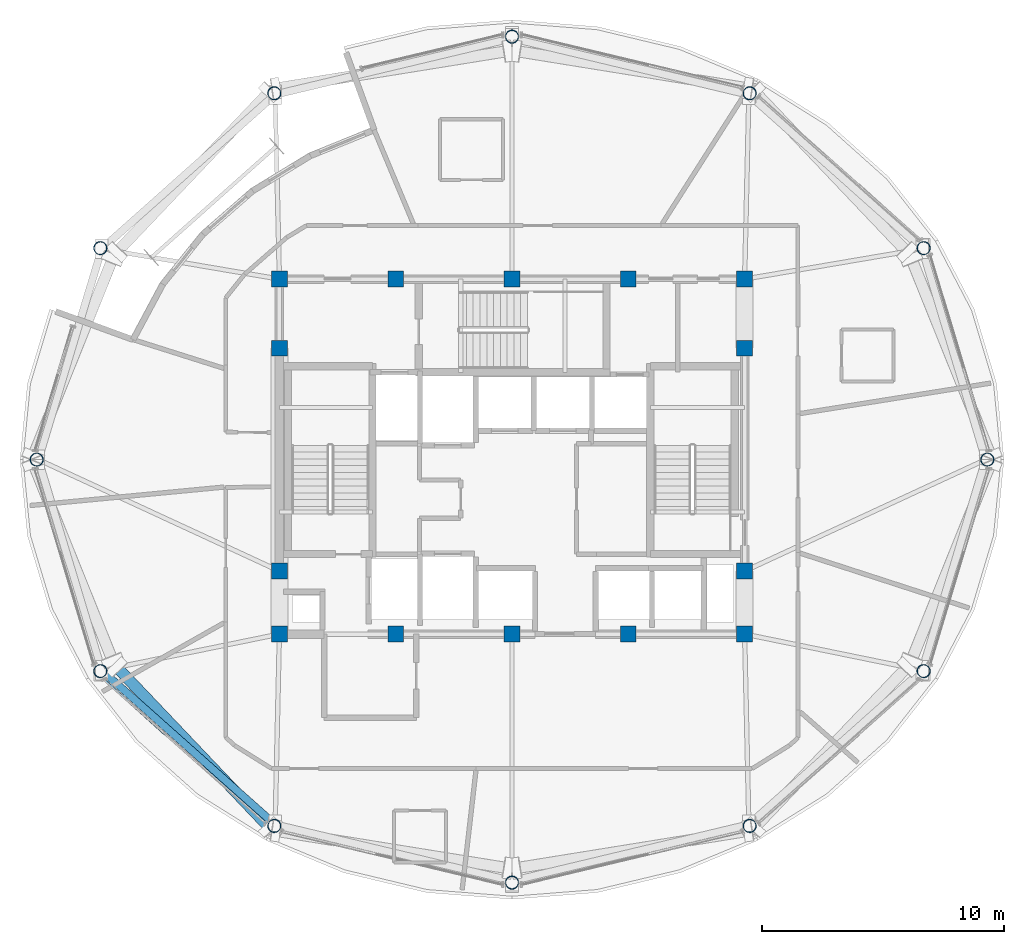
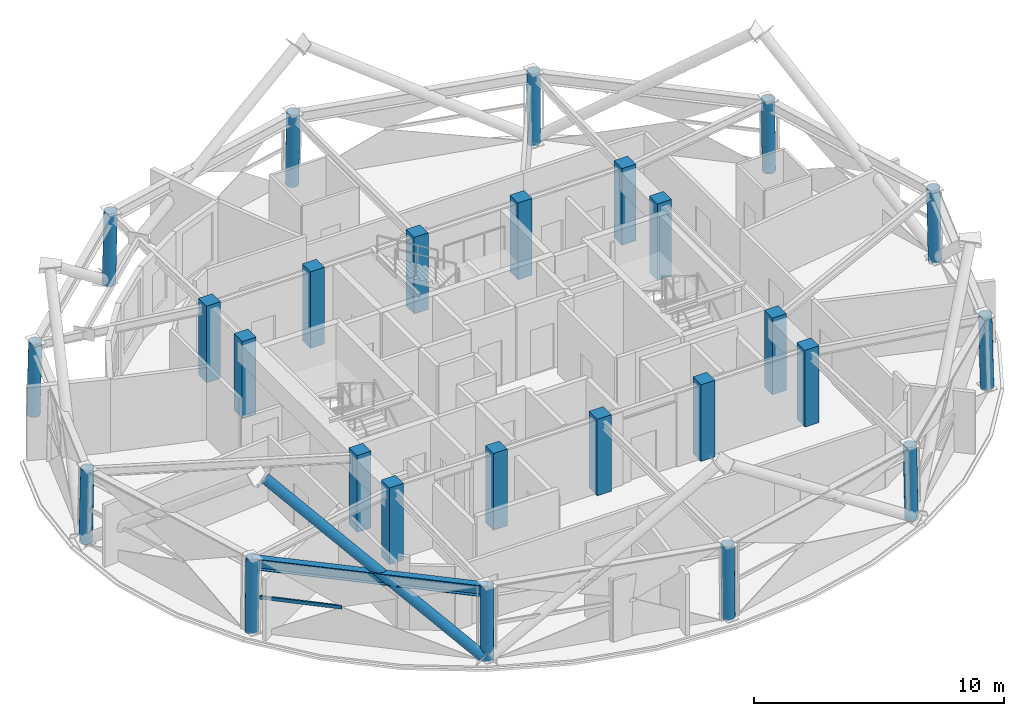
# One storey, part 1 of 15: 26 columns, 2 members, 1 beam, 1 element without a shape of its own.
"""IFC4 building model written with IfcOpenShell, lengths in metres."""

from ifc_helpers import new_model, si_unit, direction, frame, origin, origin_2d, place, context, subcontext, project, spatial, rectangle, hollow_rectangle, hollow_circle, i_section, extrude, material, layer, layer_set, material_profile, profile_set, type_object, element, aggregate, save


model = new_model("IFC4")

# Units and contexts
model_context = context("Model", 3, precision=1e-05, world=origin(), true_north=direction((0.0, 1.0)))
body_context = subcontext(model_context, "Body", "Model", "MODEL_VIEW")
ifc_project = project(units=[si_unit("LENGTHUNIT", "METRE"), si_unit("AREAUNIT", "SQUARE_METRE"), si_unit("VOLUMEUNIT", "CUBIC_METRE"), si_unit("PLANEANGLEUNIT", "RADIAN"), si_unit("MASSUNIT", "GRAM", prefix="KILO")], contexts=[model_context])

# Site, building, storey
site_placement = place(None, origin())
site = spatial("IfcSite", under=ifc_project, at=site_placement, CompositionType="ELEMENT")
building_placement = place(site_placement, origin())
building = spatial("IfcBuilding", under=site, at=building_placement, Name="Vantalir Tower", CompositionType="ELEMENT")
storey_placement = place(building_placement, frame((0.0, 0.0, 275.10009765625)))
storey = spatial("IfcBuildingStorey", under=building, at=storey_placement, Name="L69", CompositionType="ELEMENT", Elevation=275.10009765625)

# Columns
ifc_material_1 = material(Name="Concrete C50/60", Category="concrete")
ifc_material_profile_1 = material_profile(ifc_material_1, rectangle(XDim=0.64990234375, YDim=0.64990234375, at=origin_2d()), Name="Concrete C50/60")
ifc_profile_set_1 = profile_set([ifc_material_profile_1], Name="Concrete C50/60")
column_type_1 = type_object("IfcColumnType", Name="COL-CC-650", PredefinedType="COLUMN", material=ifc_profile_set_1)
for number, where, z_axis, x_axis, name in (
    (1, (21.89990234375, 17.800048828125, 0.0), (0.0, 0.0, 1.0), (1.0, 0.0, 0.0), "L69 Core Column CC01"),
    (2, (26.699951171875, 17.800048828125, 0.0), (0.0, 0.0, 1.0), (1.0, 0.0, 0.0), "L69 Core Column CC02"),
    (3, (31.5, 17.800048828125, 0.0), (0.0, 0.0, 1.0), (1.0, 0.0, 0.0), "L69 Core Column CC03"),
    (4, (36.300048828125, 17.800048828125, 0.0), (0.0, 0.0, 1.0), (1.0, 0.0, 0.0), "L69 Core Column CC04"),
    (5, (41.10009765625, 17.800048828125, 0.0), (0.0, 0.0, 1.0), (1.0, 0.0, 0.0), "L69 Core Column CC05"),
    (6, (21.89990234375, 20.39990234375, 0.0), (0.0, 0.0, 1.0), (1.0, 0.0, 0.0), "L69 Core Column CC06"),
    (7, (21.89990234375, 29.60009765625, 0.0), (0.0, 0.0, 1.0), (1.0, 0.0, 0.0), "L69 Core Column CC07"),
    (8, (41.10009765625, 20.39990234375, 0.0), (0.0, 0.0, 1.0), (1.0, 0.0, 0.0), "L69 Core Column CC08"),
    (9, (41.10009765625, 29.60009765625, 0.0), (0.0, 0.0, 1.0), (1.0, 0.0, 0.0), "L69 Core Column CC09"),
    (10, (21.89990234375, 32.449951171875, 0.0), (0.0, 0.0, 1.0), (1.0, 0.0, 0.0), "L69 Core Column CC10"),
    (11, (26.699951171875, 32.449951171875, 0.0), (0.0, 0.0, 1.0), (1.0, 0.0, 0.0), "L69 Core Column CC11"),
    (12, (31.5, 32.449951171875, 0.0), (0.0, 0.0, 1.0), (1.0, 0.0, 0.0), "L69 Core Column CC12"),
    (13, (36.300048828125, 32.449951171875, 0.0), (0.0, 0.0, 1.0), (1.0, 0.0, 0.0), "L69 Core Column CC13"),
    (14, (41.10009765625, 32.449951171875, 0.0), (0.0, 0.0, 1.0), (1.0, 0.0, 0.0), "L69 Core Column CC14"),
):
    element("IfcColumn", number, at=place(storey_placement, frame(where, z_axis=z_axis, x_axis=x_axis)), inside=storey, type_object=column_type_1, Name=name, PredefinedType="COLUMN", context=body_context, shape_type="SweptSolid", body=[
        extrude(rectangle(XDim=0.64990234375, YDim=0.64990234375, at=origin_2d()), origin(), (0.0, 0.0, 1.0), 3.75),
    ])
ifc_material_2 = material(Name="Steel S460", Category="steel")
ifc_material_profile_2 = material_profile(ifc_material_2, hollow_circle(Radius=0.27490234375, WallThickness=0.02490234375, at=origin_2d()), Name="Steel S460")
ifc_profile_set_2 = profile_set([ifc_material_profile_2], Name="Steel S460")
column_type_2 = type_object("IfcColumnType", Name="COL-RC-550", PredefinedType="COLUMN", material=ifc_profile_set_2)
column_1_placement = place(storey_placement, frame((51.1298828125, 25.0, 0.0), z_axis=(-0.022357971521, 0.0, 0.999750029312), x_axis=(0.0, -1.0, 0.0)))
element("IfcColumn", 15, at=column_1_placement, inside=storey, type_object=column_type_2, Name="L69 Perimeter Ring Column RC01", PredefinedType="COLUMN", context=body_context, shape_type="SweptSolid", body=[
    extrude(hollow_circle(Radius=0.27490234375, WallThickness=0.02490234375, at=origin_2d()), origin(), (0.0, 0.0, 1.0), 3.57080078125),
])
for number, where, z_axis, x_axis, name in (
    (16, (48.5, 33.73388671875, 0.0), (-0.019349796045, -0.010050954129, 0.999762253595), (0.460957758055, -0.887422078432, 0.0), "L69 Perimeter Ring Column RC02"),
    (17, (41.31494140625, 40.1279296875, 0.0), (-0.011213525301, -0.017640789803, 0.999781505823), (0.843930762077, -0.536452112328, 0.0), "L69 Perimeter Ring Column RC03"),
    (18, (31.5, 42.468017578125, 0.0), (0.0, -0.020170973932, 0.999796545208), (1.0, 0.0, 0.0), "L69 Perimeter Ring Column RC04"),
    (19, (21.68505859375, 40.1279296875, 0.0), (0.011213525301, -0.017640789803, 0.999781505823), (0.843930762077, 0.536452112328, 0.0), "L69 Perimeter Ring Column RC05"),
    (20, (14.5, 33.73388671875, 0.0), (0.019349796045, -0.010050954129, 0.999762253595), (0.460957758055, 0.887422078432, 0.0), "L69 Perimeter Ring Column RC06"),
):
    element("IfcColumn", number, at=place(storey_placement, frame(where, z_axis=z_axis, x_axis=x_axis)), inside=storey, type_object=column_type_2, Name=name, PredefinedType="COLUMN", context=body_context, shape_type="SweptSolid", body=[
        extrude(hollow_circle(Radius=0.27490234375, WallThickness=0.02490234375, at=origin_2d()), origin(), (0.0, 0.0, 1.0), 3.570556640625),
    ])
column_2_placement = place(storey_placement, frame((11.8701171875, 25.0, 0.0), z_axis=(0.022357971521, 0.0, 0.999750029312), x_axis=(0.0, 1.0, 0.0)))
element("IfcColumn", 21, at=column_2_placement, inside=storey, type_object=column_type_2, Name="L69 Perimeter Ring Column RC07", PredefinedType="COLUMN", context=body_context, shape_type="SweptSolid", body=[
    extrude(hollow_circle(Radius=0.27490234375, WallThickness=0.02490234375, at=origin_2d()), origin(), (0.0, 0.0, 1.0), 3.57080078125),
])
for number, where, z_axis, x_axis, name in (
    (22, (14.5, 16.26611328125, 0.0), (0.019349796045, 0.010050954129, 0.999762253595), (-0.460957758055, 0.887422078432, 0.0), "L69 Perimeter Ring Column RC08"),
    (23, (21.68505859375, 9.8720703125, 0.0), (0.011213525301, 0.017640789803, 0.999781505823), (-0.843930762077, 0.536452112328, 0.0), "L69 Perimeter Ring Column RC09"),
    (24, (31.5, 7.531982421875, 0.0), (0.0, 0.020170973932, 0.999796545208), (-1.0, 0.0, 0.0), "L69 Perimeter Ring Column RC10"),
    (25, (41.31494140625, 9.8720703125, 0.0), (-0.011213525301, 0.017640789803, 0.999781505823), (-0.843930762077, -0.536452112328, 0.0), "L69 Perimeter Ring Column RC11"),
    (26, (48.5, 16.26611328125, 0.0), (-0.019349796045, 0.010050954129, 0.999762253595), (-0.460957758055, -0.887422078432, 0.0), "L69 Perimeter Ring Column RC12"),
):
    element("IfcColumn", number, at=place(storey_placement, frame(where, z_axis=z_axis, x_axis=x_axis)), inside=storey, type_object=column_type_2, Name=name, PredefinedType="COLUMN", context=body_context, shape_type="SweptSolid", body=[
        extrude(hollow_circle(Radius=0.27490234375, WallThickness=0.02490234375, at=origin_2d()), origin(), (0.0, 0.0, 1.0), 3.570556640625),
    ])

# Beam
ifc_material_profile_3 = material_profile(ifc_material_2, i_section(OverallWidth=0.31201171875, OverallDepth=0.5419921875, WebThickness=0.0126953125, FlangeThickness=0.020263671875, at=origin_2d()), Name="Steel S460")
ifc_profile_set_3 = profile_set([ifc_material_profile_3], Name="Steel S460")
beam_type = type_object("IfcBeamType", Name="BM-RG-533x312", PredefinedType="USERDEFINED", material=ifc_profile_set_3)
beam_placement = place(storey_placement, frame((14.569091796875, 16.302001953125, 3.298828125), z_axis=(0.747095638048, -0.664716561859, 0.0), x_axis=(0.664716561859, 0.747095638048, 0.0)))
element("IfcBeam", 27, at=beam_placement, inside=storey, type_object=beam_type, Name="L69 Circumferential Ring Girder 08", ObjectType="GIRDER", PredefinedType="USERDEFINED", context=body_context, shape_type="SweptSolid", body=[
    extrude(i_section(OverallWidth=0.31201171875, OverallDepth=0.5419921875, WebThickness=0.0126953125, FlangeThickness=0.020263671875, at=origin_2d()), origin(), (0.0, 0.0, 1.0), 9.578369140625),
])

# Curtain wall, member
ifc_material_3 = material(Name="Champagne-silver PVDF aluminium and double-silver Low-E glass", Category="aluminium")
ifc_layer = layer(ifc_material_3, 0.219970703125)
ifc_layer_set = layer_set([ifc_layer], Name="Champagne-silver PVDF aluminium and double-silver Low-E glass")
curtain_wall_type = type_object("IfcCurtainWallType", Name="CW-DIAMOND-Z4", PredefinedType="USERDEFINED", material=ifc_layer_set)
curtain_wall_placement = place(storey_placement, origin())
curtain_wall = element("IfcCurtainWall", 28, at=curtain_wall_placement, inside=storey, type_object=curtain_wall_type, Name="L69 Quilted Pyramid-Diamond Curtain Wall S08", ObjectType="UNITISED CURTAIN WALL", PredefinedType="USERDEFINED")
ifc_material_4 = material(Name="Champagne-silver PVDF aluminium 6063-T6", Category="aluminium")
ifc_material_profile_4 = material_profile(ifc_material_4, hollow_rectangle(XDim=0.074951171875, YDim=0.159912109375, WallThickness=0.00390625, at=origin_2d()), Name="Champagne-silver PVDF aluminium 6063-T6")
ifc_profile_set_4 = profile_set([ifc_material_profile_4], Name="Champagne-silver PVDF aluminium 6063-T6")
member_type_1 = type_object("IfcMemberType", Name="CWT-160x75", PredefinedType="USERDEFINED", material=ifc_profile_set_4)
member_1_placement = place(storey_placement, frame((14.660888671875, 15.929931640625, 1.784912109375), z_axis=(0.741979938923, -0.670422083643, 0.0), x_axis=(0.670422083643, 0.741979938923, 0.0)))
member_1 = element("IfcMember", 29, at=member_1_placement, type_object=member_type_1, Name="CW-L69-S08 Pyramid Fold Ridge Transom", ObjectType="TRANSOM", PredefinedType="USERDEFINED", context=body_context, shape_type="SweptSolid", body=[
    extrude(hollow_rectangle(XDim=0.074951171875, YDim=0.159912109375, WallThickness=0.00390625, at=origin_2d()), origin(), (0.0, 0.0, 1.0), 3.384521484375),
])
aggregate(curtain_wall, [member_1])

# Member
ifc_material_profile_5 = material_profile(ifc_material_2, hollow_circle(Radius=0.22998046875, WallThickness=0.028076171875, at=origin_2d()), Name="Steel S460")
ifc_profile_set_5 = profile_set([ifc_material_profile_5], Name="Steel S460")
member_type_2 = type_object("IfcMemberType", Name="MEM-DB-460x28", PredefinedType="BRACE", material=ifc_profile_set_5)
member_2_placement = place(storey_placement, frame((21.468994140625, 9.8349609375, 0.212890625), z_axis=(-0.549145510515, 0.577614493708, 0.603987338394), x_axis=(-0.724741413117, -0.689020960576, 0.0)))
element("IfcMember", 30, at=member_2_placement, inside=storey, type_object=member_type_2, Name="L69 Perimeter S460 Diagrid Brace R25R", PredefinedType="BRACE", context=body_context, shape_type="SweptSolid", body=[
    extrude(hollow_circle(Radius=0.22998046875, WallThickness=0.028076171875, at=origin_2d()), origin(), (0.0, 0.0, 1.0), 11.414306640625),
])

save(model, "model.ifc")
